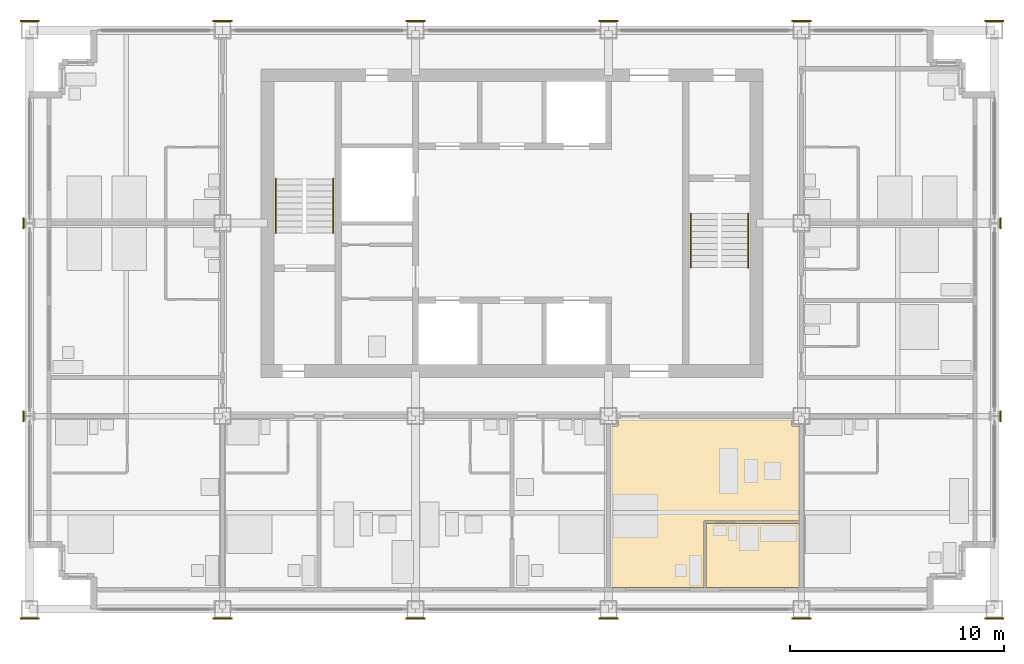
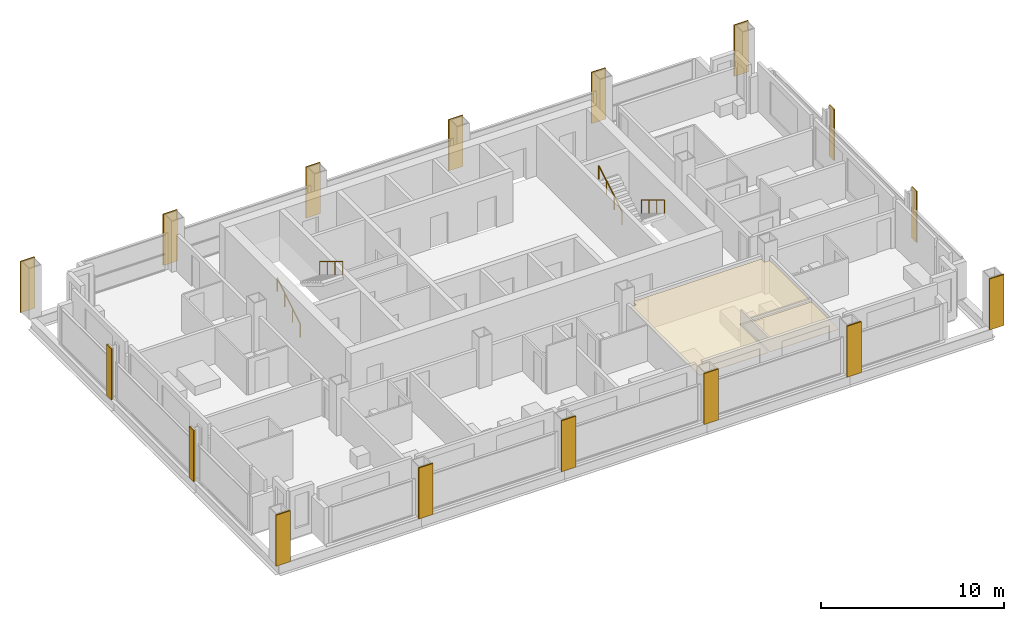
# One storey, part 11 of 13: 18 coverings, 4 railings.
"""IFC4 building model written with IfcOpenShell, lengths in metres."""

from ifc_helpers import new_model, si_unit, direction, frame, origin, origin_2d, place, context, subcontext, project, spatial, polyline, rectangle, circle, outline, extrude, material, layer, layer_set, type_object, element, save


model = new_model("IFC4")

# Units and contexts
model_context = context("Model", 3, precision=1e-05, world=origin(), true_north=direction((0.0, 1.0)))
body_context = subcontext(model_context, "Body", "Model", "MODEL_VIEW")
ifc_project = project(units=[si_unit("LENGTHUNIT", "METRE"), si_unit("AREAUNIT", "SQUARE_METRE"), si_unit("VOLUMEUNIT", "CUBIC_METRE"), si_unit("PLANEANGLEUNIT", "RADIAN"), si_unit("MASSUNIT", "GRAM", prefix="KILO")], contexts=[model_context])

# Site, building, storey
site_placement = place(None, origin())
site = spatial("IfcSite", under=ifc_project, at=site_placement, CompositionType="ELEMENT")
building_placement = place(site_placement, origin())
building = spatial("IfcBuilding", under=site, at=building_placement, Name="Loomwork Tower", CompositionType="ELEMENT")
storey_placement = place(building_placement, frame((0.0, 0.0, 201.199951171875)))
storey = spatial("IfcBuildingStorey", under=building, at=storey_placement, Name="L55", CompositionType="ELEMENT", Elevation=201.199951171875)

# Railings
ifc_material_1 = material(Name="Stainless steel handrail", Category="steel")
railing_type = type_object("IfcRailingType", Name="Handrail 900", PredefinedType="HANDRAIL", material=ifc_material_1)
railing_1_placement = place(storey_placement, frame((11.485107421875, 17.550048828125, 0.170166015625)))
element("IfcRailing", 1, at=railing_1_placement, inside=storey, type_object=railing_type, Name="Stair A handrail flight 1 L55", PredefinedType="HANDRAIL", context=body_context, shape_type="SweptSolid", body=[
    extrude(circle(Radius=0.02392578125, at=origin_2d()), frame((0.0, 0.0, 0.8759765625), z_axis=(0.0, 0.854821627497, 0.518921945155), x_axis=(-1.0, 0.0, 0.0)), (0.0, 0.0, 1.0), 2.947998046875),
    extrude(circle(Radius=0.02099609375, at=origin_2d()), origin(), (0.0, 0.0, 1.0), 0.851806640625),
    extrude(circle(Radius=0.02099609375, at=origin_2d()), frame((0.0, 0.840087890625, 0.510009765625)), (0.0, 0.0, 1.0), 0.851806640625),
    extrude(circle(Radius=0.02099609375, at=origin_2d()), frame((0.0, 1.679931640625, 1.019775390625)), (0.0, 0.0, 1.0), 0.851806640625),
    extrude(circle(Radius=0.02099609375, at=origin_2d()), frame((0.0, 2.52001953125, 1.52978515625)), (0.0, 0.0, 1.0), 0.851806640625),
])
railing_2_placement = place(storey_placement, frame((14.1650390625, 20.070068359375, 1.8701171875)))
element("IfcRailing", 2, at=railing_2_placement, inside=storey, type_object=railing_type, Name="Stair A handrail flight 2 L55", PredefinedType="HANDRAIL", context=body_context, shape_type="SweptSolid", body=[
    extrude(circle(Radius=0.02392578125, at=origin_2d()), frame((0.0, 0.0, 0.8759765625), z_axis=(0.0, -0.85478489116, 0.518982456201), x_axis=(1.0, 0.0, 0.0)), (0.0, 0.0, 1.0), 2.9482421875),
    extrude(circle(Radius=0.02099609375, at=origin_2d()), origin(), (0.0, 0.0, 1.0), 0.851806640625),
    extrude(circle(Radius=0.02099609375, at=origin_2d()), frame((0.0, -0.840087890625, 0.510009765625)), (0.0, 0.0, 1.0), 0.851806640625),
    extrude(circle(Radius=0.02099609375, at=origin_2d()), frame((0.0, -1.679931640625, 1.02001953125)), (0.0, 0.0, 1.0), 0.851806640625),
    extrude(circle(Radius=0.02099609375, at=origin_2d()), frame((0.0, -2.52001953125, 1.530029296875)), (0.0, 0.0, 1.0), 0.851806640625),
])
railing_3_placement = place(storey_placement, frame((33.514892578125, 18.449951171875, 0.170166015625)))
element("IfcRailing", 3, at=railing_3_placement, inside=storey, type_object=railing_type, Name="Stair B handrail flight 1 L55", PredefinedType="HANDRAIL", context=body_context, shape_type="SweptSolid", body=[
    extrude(circle(Radius=0.02392578125, at=origin_2d()), frame((0.0, 0.0, 0.8759765625), z_axis=(0.0, -0.854821627497, 0.518921945155), x_axis=(1.0, 0.0, 0.0)), (0.0, 0.0, 1.0), 2.947998046875),
    extrude(circle(Radius=0.02099609375, at=origin_2d()), origin(), (0.0, 0.0, 1.0), 0.851806640625),
    extrude(circle(Radius=0.02099609375, at=origin_2d()), frame((0.0, -0.840087890625, 0.510009765625)), (0.0, 0.0, 1.0), 0.851806640625),
    extrude(circle(Radius=0.02099609375, at=origin_2d()), frame((0.0, -1.679931640625, 1.019775390625)), (0.0, 0.0, 1.0), 0.851806640625),
    extrude(circle(Radius=0.02099609375, at=origin_2d()), frame((0.0, -2.52001953125, 1.52978515625)), (0.0, 0.0, 1.0), 0.851806640625),
])
railing_4_placement = place(storey_placement, frame((30.8349609375, 15.929931640625, 1.8701171875)))
element("IfcRailing", 4, at=railing_4_placement, inside=storey, type_object=railing_type, Name="Stair B handrail flight 2 L55", PredefinedType="HANDRAIL", context=body_context, shape_type="SweptSolid", body=[
    extrude(circle(Radius=0.02392578125, at=origin_2d()), frame((0.0, 0.0, 0.8759765625), z_axis=(0.0, 0.85478489116, 0.518982456201), x_axis=(-1.0, 0.0, 0.0)), (0.0, 0.0, 1.0), 2.9482421875),
    extrude(circle(Radius=0.02099609375, at=origin_2d()), origin(), (0.0, 0.0, 1.0), 0.851806640625),
    extrude(circle(Radius=0.02099609375, at=origin_2d()), frame((0.0, 0.840087890625, 0.510009765625)), (0.0, 0.0, 1.0), 0.851806640625),
    extrude(circle(Radius=0.02099609375, at=origin_2d()), frame((0.0, 1.679931640625, 1.02001953125)), (0.0, 0.0, 1.0), 0.851806640625),
    extrude(circle(Radius=0.02099609375, at=origin_2d()), frame((0.0, 2.52001953125, 1.530029296875)), (0.0, 0.0, 1.0), 0.851806640625),
])

# Coverings
ifc_material_2 = material(Name="Limestone", Category="masonry")
ifc_layer_1 = layer(ifc_material_2, 0.080078125)
ifc_layer_set_1 = layer_set([ifc_layer_1], Name="Limestone pier facing 80")
covering_type_1 = type_object("IfcCoveringType", Name="Limestone pier facing 80", PredefinedType="CLADDING", material=ifc_layer_set_1)
covering_1_placement = place(storey_placement, frame((0.0, -0.43994140625, 0.0), z_axis=(0.0, 0.0, 1.0), x_axis=(1.0, 0.0, 0.0)))
element("IfcCovering", 5, at=covering_1_placement, inside=storey, type_object=covering_type_1, Name="Pier facing D/2 L55", PredefinedType="CLADDING", context=body_context, shape_type="SweptSolid", body=[
    extrude(rectangle(XDim=0.89990234375, YDim=0.080078125, at=origin_2d()), origin(), (0.0, 0.0, 1.0), 3.39990234375),
])
for number, where, z_axis, x_axis, name in (
    (6, (-0.28125, 9.0, 0.0), (0.0, 0.0, 1.0), (1.0, 0.0, 0.0), "Pier facing E/2 L55"),
    (7, (-0.28125, 18.0, 0.0), (0.0, 0.0, 1.0), (1.0, 0.0, 0.0), "Pier facing F/2 L55"),
):
    element("IfcCovering", number, at=place(storey_placement, frame(where, z_axis=z_axis, x_axis=x_axis)), inside=storey, type_object=covering_type_1, Name=name, PredefinedType="CLADDING", context=body_context, shape_type="SweptSolid", body=[
        extrude(rectangle(XDim=0.080078125, YDim=0.526611328125, at=origin_2d()), origin(), (0.0, 0.0, 1.0), 3.39990234375),
    ])
for number, where, z_axis, x_axis, name in (
    (8, (0.0, 27.43994140625, 0.0), (0.0, 0.0, 1.0), (1.0, 0.0, 0.0), "Pier facing G/2 L55"),
    (9, (9.0, -0.43994140625, 0.0), (0.0, 0.0, 1.0), (1.0, 0.0, 0.0), "Pier facing D/3 L55"),
    (10, (9.0, 27.43994140625, 0.0), (0.0, 0.0, 1.0), (1.0, 0.0, 0.0), "Pier facing G/3 L55"),
    (11, (18.0, -0.43994140625, 0.0), (0.0, 0.0, 1.0), (1.0, 0.0, 0.0), "Pier facing D/4 L55"),
    (12, (18.0, 27.43994140625, 0.0), (0.0, 0.0, 1.0), (1.0, 0.0, 0.0), "Pier facing G/4 L55"),
    (13, (27.0, -0.43994140625, 0.0), (0.0, 0.0, 1.0), (1.0, 0.0, 0.0), "Pier facing D/5 L55"),
    (14, (27.0, 27.43994140625, 0.0), (0.0, 0.0, 1.0), (1.0, 0.0, 0.0), "Pier facing G/5 L55"),
    (15, (36.0, -0.43994140625, 0.0), (0.0, 0.0, 1.0), (1.0, 0.0, 0.0), "Pier facing D/6 L55"),
    (16, (36.0, 27.43994140625, 0.0), (0.0, 0.0, 1.0), (1.0, 0.0, 0.0), "Pier facing G/6 L55"),
    (17, (45.0, -0.43994140625, 0.0), (0.0, 0.0, 1.0), (1.0, 0.0, 0.0), "Pier facing D/7 L55"),
):
    element("IfcCovering", number, at=place(storey_placement, frame(where, z_axis=z_axis, x_axis=x_axis)), inside=storey, type_object=covering_type_1, Name=name, PredefinedType="CLADDING", context=body_context, shape_type="SweptSolid", body=[
        extrude(rectangle(XDim=0.89990234375, YDim=0.080078125, at=origin_2d()), origin(), (0.0, 0.0, 1.0), 3.39990234375),
    ])
for number, where, z_axis, x_axis, name in (
    (18, (45.28125, 9.0, 0.0), (0.0, 0.0, 1.0), (1.0, 0.0, 0.0), "Pier facing E/7 L55"),
    (19, (45.28125, 18.0, 0.0), (0.0, 0.0, 1.0), (1.0, 0.0, 0.0), "Pier facing F/7 L55"),
):
    element("IfcCovering", number, at=place(storey_placement, frame(where, z_axis=z_axis, x_axis=x_axis)), inside=storey, type_object=covering_type_1, Name=name, PredefinedType="CLADDING", context=body_context, shape_type="SweptSolid", body=[
        extrude(rectangle(XDim=0.080078125, YDim=0.526611328125, at=origin_2d()), origin(), (0.0, 0.0, 1.0), 3.39990234375),
    ])
covering_2_placement = place(storey_placement, frame((45.0, 27.43994140625, 0.0), z_axis=(0.0, 0.0, 1.0), x_axis=(1.0, 0.0, 0.0)))
element("IfcCovering", 20, at=covering_2_placement, inside=storey, type_object=covering_type_1, Name="Pier facing G/7 L55", PredefinedType="CLADDING", context=body_context, shape_type="SweptSolid", body=[
    extrude(rectangle(XDim=0.89990234375, YDim=0.080078125, at=origin_2d()), origin(), (0.0, 0.0, 1.0), 3.39990234375),
])
ifc_material_3 = material(Name="Mineral fibre acoustic tile on suspension grid")
ifc_layer_2 = layer(ifc_material_3, 0.02490234375)
ifc_layer_set_2 = layer_set([ifc_layer_2], Name="Suspended acoustic ceiling")
covering_type_2 = type_object("IfcCoveringType", Name="Suspended acoustic ceiling", PredefinedType="CEILING", material=ifc_layer_set_2)
covering_3_placement = place(storey_placement, frame((0.0, 0.0, 2.175048828125)))
element("IfcCovering", 21, at=covering_3_placement, inside=storey, type_object=covering_type_2, Name="Ceiling Spa bathroom L55", PredefinedType="CEILING", context=body_context, shape_type="SweptSolid", body=[
    extrude(outline(polyline([(35.89990234375, 4.0), (35.89990234375, 1.0), (31.550048828125, 1.0), (31.550048828125, 4.0), (35.89990234375, 4.0)])), origin(), (0.0, 0.0, 1.0), 0.02490234375),
])
covering_4_placement = place(storey_placement, frame((0.0, 0.0, 2.175048828125)))
element("IfcCovering", 22, at=covering_4_placement, inside=storey, type_object=covering_type_2, Name="Ceiling Spa suite L55", PredefinedType="CEILING", context=body_context, shape_type="SweptSolid", body=[
    extrude(outline(polyline([(35.550048828125, 8.89990234375), (35.550048828125, 8.550048828125), (35.89990234375, 8.550048828125), (35.89990234375, 4.10009765625), (31.449951171875, 4.10009765625), (31.449951171875, 1.0), (27.10009765625, 1.0), (27.10009765625, 8.550048828125), (27.449951171875, 8.550048828125), (27.449951171875, 8.89990234375), (35.550048828125, 8.89990234375)])), origin(), (0.0, 0.0, 1.0), 0.02490234375),
])

save(model, "model.ifc")
